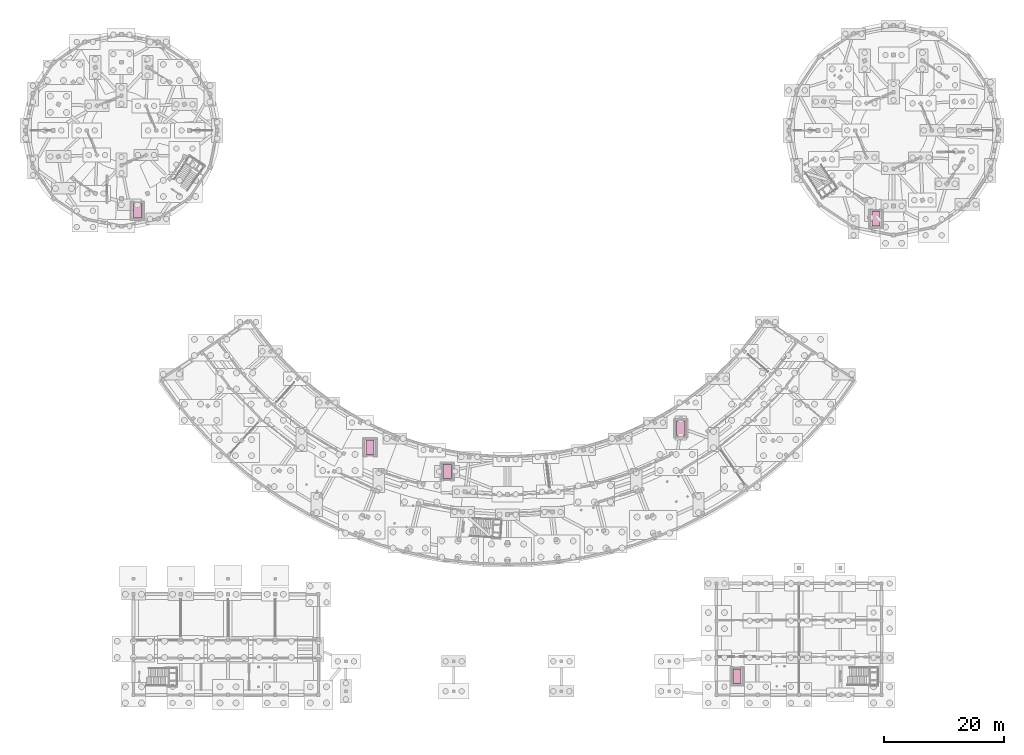
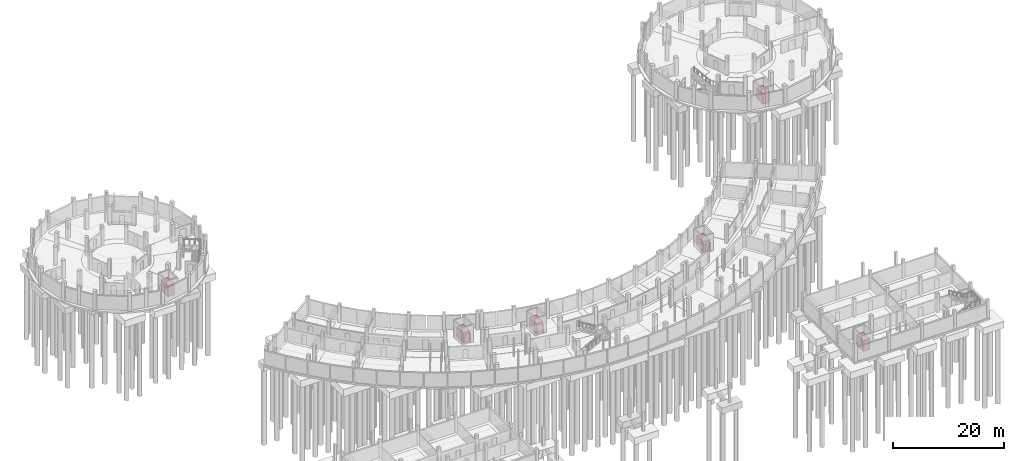
# One storey, part 58 of 58: 6 transport elements.
"""IFC4 building model written with IfcOpenShell, lengths in metres."""

from ifc_helpers import new_model, si_unit, direction, frame, origin, origin_2d, place, context, subcontext, project, spatial, rectangle, extrude, material, type_object, element, save


model = new_model("IFC4")

# Units and contexts
model_context = context("Model", 3, precision=1e-05, world=origin(), true_north=direction((0.0, 1.0)))
body_context = subcontext(model_context, "Body", "Model", "MODEL_VIEW")
ifc_project = project(units=[si_unit("LENGTHUNIT", "METRE"), si_unit("AREAUNIT", "SQUARE_METRE"), si_unit("VOLUMEUNIT", "CUBIC_METRE"), si_unit("PLANEANGLEUNIT", "RADIAN"), si_unit("MASSUNIT", "GRAM", prefix="KILO")], contexts=[model_context])

# Site, building, storey
site_placement = place(None, origin())
site = spatial("IfcSite", under=ifc_project, at=site_placement, CompositionType="ELEMENT")
building_placement = place(site_placement, origin())
building = spatial("IfcBuilding", under=site, at=building_placement, Name="Caldaven Crescent School", CompositionType="ELEMENT")
storey_placement = place(building_placement, frame((0.0, 0.0, -4.080078125)))
storey = spatial("IfcBuildingStorey", under=building, at=storey_placement, Name="B1", CompositionType="ELEMENT", Elevation=-4.080078125)

# Transport elements
ifc_material = material(Name="Stainless-steel accessible passenger-stretcher lift car", Category="steel")
transport_element_type = type_object("IfcTransportElementType", Name="TRN-LIFT1", PredefinedType="ELEVATOR", material=ifc_material)
for number, where, z_axis, x_axis, name in (
    (1, (149.56396484375, 83.7392578125, 0.0), (0.0, 0.0, 1.0), (1.0, 0.0, 0.0), "Accessible Lift LF1"),
    (2, (26.1728515625, 85.063232421875, 0.0), (0.0, 0.0, 1.0), (1.0, 0.0, 0.0), "Accessible Lift LF2"),
    (3, (126.35009765625, 7.300048828125, 0.0), (0.0, 0.0, 1.0), (1.0, 0.0, 0.0), "Accessible Lift LF3"),
    (4, (65.02587890625, 45.588134765625, 0.0), (0.0, 0.0, 1.0), (1.0, 0.0, 0.0), "Accessible Lift LF4"),
    (5, (77.904052734375, 41.527587890625, 0.0), (0.0, 0.0, 1.0), (1.0, 0.0, 0.0), "Accessible Lift LF5"),
    (6, (116.946533203125, 48.763671875, 0.0), (0.0, 0.0, 1.0), (1.0, 0.0, 0.0), "Accessible Lift LF6"),
):
    element("IfcTransportElement", number, at=place(storey_placement, frame(where, z_axis=z_axis, x_axis=x_axis)), inside=storey, type_object=transport_element_type, Name=name, PredefinedType="ELEVATOR", context=body_context, shape_type="SweptSolid", body=[
        extrude(rectangle(XDim=1.39990234375, YDim=2.39990234375, at=origin_2d()), origin(), (0.0, 0.0, 1.0), 2.35009765625),
    ])

save(model, "model.ifc")
